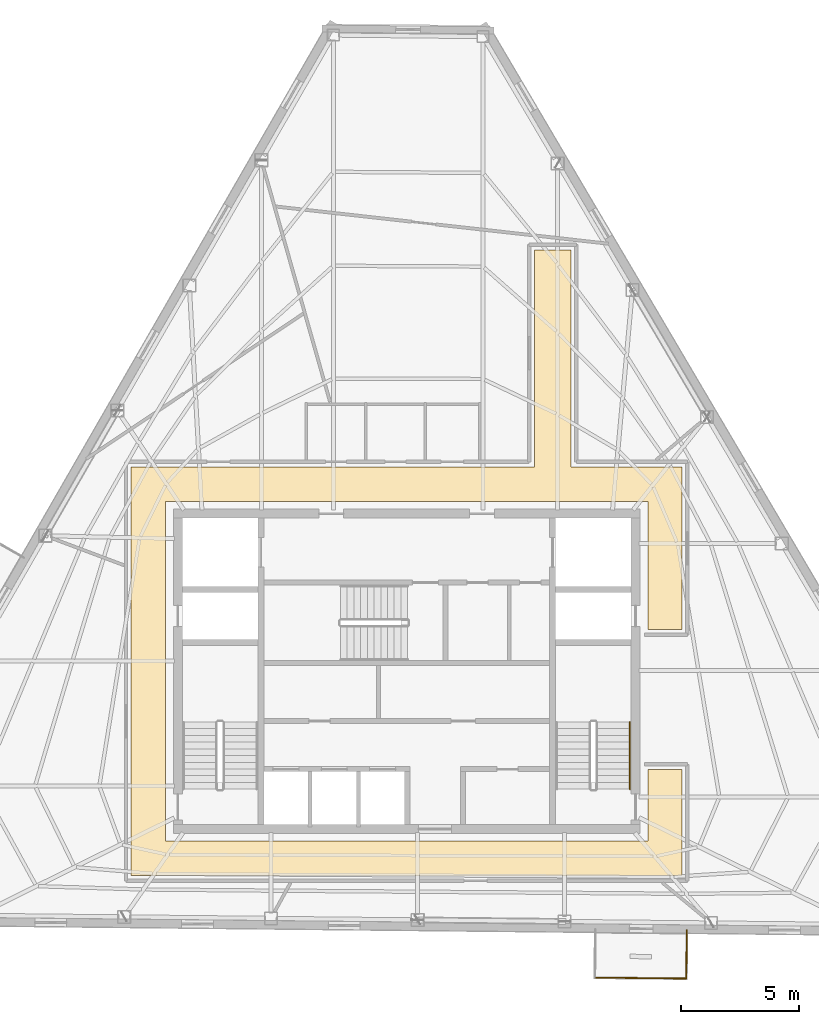
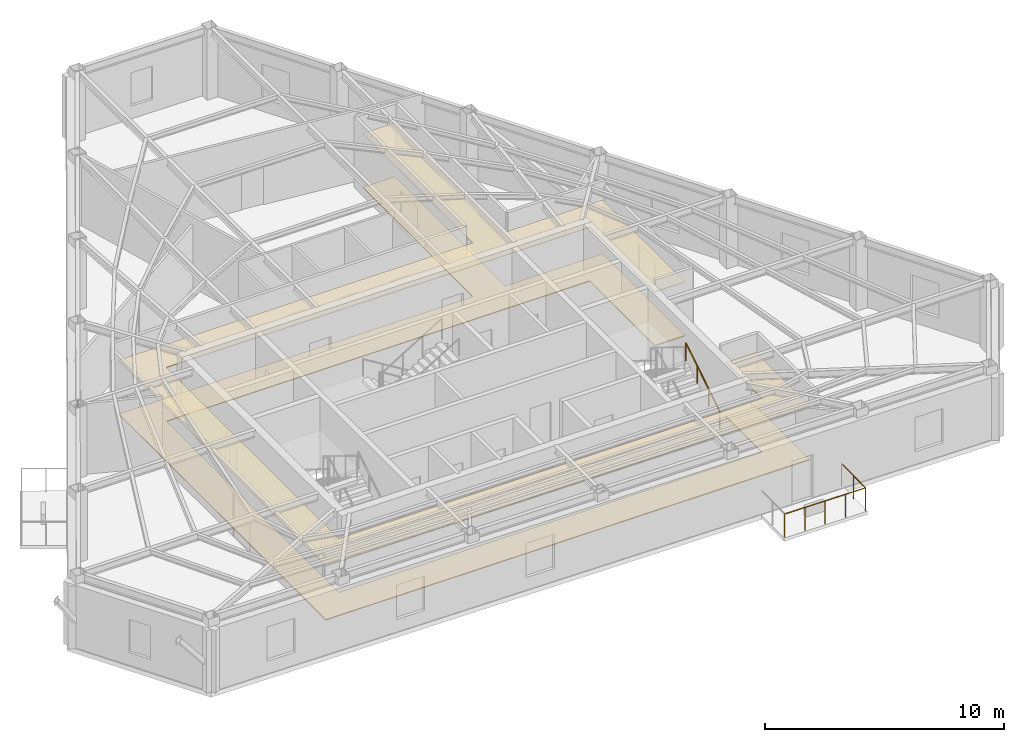
# One storey, part 11 of 11: 3 railings, 2 coverings.
"""IFC4 building model written with IfcOpenShell, lengths in metres."""

from ifc_helpers import new_model, si_unit, direction, frame, origin, origin_2d, place, context, subcontext, project, spatial, polyline, circle, outline, extrude, material, layer, layer_set, type_object, element, save


model = new_model("IFC4")

# Units and contexts
model_context = context("Model", 3, precision=1e-05, world=origin(), true_north=direction((0.0, 1.0)))
body_context = subcontext(model_context, "Body", "Model", "MODEL_VIEW")
ifc_project = project(units=[si_unit("LENGTHUNIT", "METRE"), si_unit("AREAUNIT", "SQUARE_METRE"), si_unit("VOLUMEUNIT", "CUBIC_METRE"), si_unit("PLANEANGLEUNIT", "RADIAN"), si_unit("MASSUNIT", "GRAM", prefix="KILO")], contexts=[model_context])

# Site, building, storey
site_placement = place(None, origin())
site = spatial("IfcSite", under=ifc_project, at=site_placement, CompositionType="ELEMENT")
building_placement = place(site_placement, origin())
building = spatial("IfcBuilding", under=site, at=building_placement, Name="Kavelnor Concourse Tower", CompositionType="ELEMENT")
storey_placement = place(building_placement, frame((0.0, 0.0, 262.60009765625)))
storey = spatial("IfcBuildingStorey", under=building, at=storey_placement, Name="L66", CompositionType="ELEMENT", Elevation=262.60009765625)

# Coverings
ifc_material_1 = material(Name="Mineral fibre acoustic ceiling tile")
ifc_layer_1 = layer(ifc_material_1, 0.0400390625, Name="Mineral fibre acoustic ceiling tile")
ifc_layer_set_1 = layer_set([ifc_layer_1], Name="Mineral fibre acoustic ceiling tile")
covering_type_1 = type_object("IfcCoveringType", Name="COV-CEILING-ACOUSTIC", PredefinedType="CEILING", material=ifc_layer_set_1)
covering_1_placement = place(storey_placement, frame((0.0, 0.0, 2.75)))
element("IfcCovering", 1, at=covering_1_placement, inside=storey, type_object=covering_type_1, Name="L66 Suspended Acoustic Ceiling", PredefinedType="CEILING", context=body_context, shape_type="SweptSolid", body=[
    extrude(outline(polyline([(44.97998046875, 24.77001953125), (49.68994140625, 24.77001953125), (49.68994140625, 17.8701171875), (48.22998046875, 17.8701171875), (48.22998046875, 23.31005859375), (27.77001953125, 23.31005859375), (27.77001953125, 8.889892578125), (48.22998046875, 8.889892578125), (48.22998046875, 11.929931640625), (49.68994140625, 11.929931640625), (49.68994140625, 7.429931640625), (26.31005859375, 7.429931640625), (26.31005859375, 24.77001953125), (43.419921875, 24.77001953125), (43.419921875, 33.987060546875), (44.97998046875, 33.987060546875), (44.97998046875, 24.77001953125)])), origin(), (0.0, 0.0, 1.0), 0.039794921875),
])
ifc_material_2 = material(Name="Honed bluestone and raised access floor finish", Category="masonry")
ifc_layer_2 = layer(ifc_material_2, 0.0400390625, Name="Honed bluestone and raised access floor finish")
ifc_layer_set_2 = layer_set([ifc_layer_2], Name="Honed bluestone and raised access floor finish")
covering_type_2 = type_object("IfcCoveringType", Name="COV-FLOOR-STONE", PredefinedType="FLOORING", material=ifc_layer_set_2)
covering_2_placement = place(storey_placement, frame((0.0, 0.0, 0.001953125)))
element("IfcCovering", 2, at=covering_2_placement, inside=storey, type_object=covering_type_2, Name="L66 Honed Bluestone Floor Finish", PredefinedType="FLOORING", context=body_context, shape_type="SweptSolid", body=[
    extrude(outline(polyline([(44.97998046875, 24.77001953125), (49.68994140625, 24.77001953125), (49.68994140625, 17.8701171875), (48.22998046875, 17.8701171875), (48.22998046875, 23.31005859375), (27.77001953125, 23.31005859375), (27.77001953125, 8.889892578125), (48.22998046875, 8.889892578125), (48.22998046875, 11.929931640625), (49.68994140625, 11.929931640625), (49.68994140625, 7.429931640625), (26.31005859375, 7.429931640625), (26.31005859375, 24.77001953125), (43.419921875, 24.77001953125), (43.419921875, 33.987060546875), (44.97998046875, 33.987060546875), (44.97998046875, 24.77001953125)])), origin(), (0.0, 0.0, 1.0), 0.0400390625),
])

# Railings
ifc_material_3 = material(Name="Steel Grade 350", Category="steel")
railing_type_1 = type_object("IfcRailingType", Name="RLG-HANDRAIL-900", PredefinedType="HANDRAIL", material=ifc_material_3)
railing_1_placement = place(storey_placement, frame((47.469970703125, 11.10009765625, 0.1748046875)))
element("IfcRailing", 3, at=railing_1_placement, inside=storey, type_object=railing_type_1, Name="L66 ST2 stair handrail 1", PredefinedType="HANDRAIL", context=body_context, shape_type="SweptSolid", body=[
    extrude(circle(Radius=0.02392578125, at=origin_2d()), frame((0.0, 0.0, 0.8759765625), z_axis=(0.0, 0.852159232446, 0.523282564737), x_axis=(-1.0, 0.0, 0.0)), (0.0, 0.0, 1.0), 3.34423828125),
    extrude(circle(Radius=0.02099609375, at=origin_2d()), origin(), (0.0, 0.0, 1.0), 0.851806640625),
    extrude(circle(Radius=0.02099609375, at=origin_2d()), frame((0.0, 0.949951171875, 0.583251953125)), (0.0, 0.0, 1.0), 0.851806640625),
    extrude(circle(Radius=0.02099609375, at=origin_2d()), frame((0.0, 1.89990234375, 1.166748046875)), (0.0, 0.0, 1.0), 0.851806640625),
    extrude(circle(Radius=0.02099609375, at=origin_2d()), frame((0.0, 2.849853515625, 1.75)), (0.0, 0.0, 1.0), 0.851806640625),
])
ifc_material_4 = material(Name="Architectural bronze-anodised aluminium", Category="aluminium")
railing_type_2 = type_object("IfcRailingType", Name="RLG-TERRACE-1200", PredefinedType="BALUSTRADE", material=ifc_material_4)
railing_2_placement = place(storey_placement, frame((45.983642578125, 3.102783203125, 0.0)))
element("IfcRailing", 4, at=railing_2_placement, inside=storey, type_object=railing_type_2, Name="L66 Tree Balcony 2 Guardrail F", PredefinedType="BALUSTRADE", context=body_context, shape_type="SweptSolid", body=[
    extrude(circle(Radius=0.02392578125, at=origin_2d()), frame((0.0, 0.0, 1.17578125), z_axis=(0.999946105348, -0.010382022866, 0.0), x_axis=(0.010382022866, 0.999946105348, 0.0)), (0.0, 0.0, 1.0), 3.880126953125),
    extrude(circle(Radius=0.02099609375, at=origin_2d()), origin(), (0.0, 0.0, 1.0), 1.15185546875),
    extrude(circle(Radius=0.02099609375, at=origin_2d()), frame((0.969970703125, -0.010009765625, 0.0)), (0.0, 0.0, 1.0), 1.15185546875),
    extrude(circle(Radius=0.02099609375, at=origin_2d()), frame((1.93994140625, -0.02001953125, 0.0)), (0.0, 0.0, 1.0), 1.15185546875),
    extrude(circle(Radius=0.02099609375, at=origin_2d()), frame((2.909912109375, -0.0302734375, 0.0)), (0.0, 0.0, 1.0), 1.15185546875),
    extrude(circle(Radius=0.02099609375, at=origin_2d()), frame((3.8798828125, -0.040283203125, 0.0)), (0.0, 0.0, 1.0), 1.15185546875),
])
railing_3_placement = place(storey_placement, frame((49.863525390625, 3.0625, 0.0)))
element("IfcRailing", 5, at=railing_3_placement, inside=storey, type_object=railing_type_2, Name="L66 Tree Balcony 2 Guardrail R", PredefinedType="BALUSTRADE", context=body_context, shape_type="SweptSolid", body=[
    extrude(circle(Radius=0.02392578125, at=origin_2d()), frame((0.0, 0.0, 1.17578125), z_axis=(0.010361520923, 0.999946318001, 0.0), x_axis=(-0.999946318001, 0.010361520923, 0.0)), (0.0, 0.0, 1.0), 2.0498046875),
    extrude(circle(Radius=0.02099609375, at=origin_2d()), origin(), (0.0, 0.0, 1.0), 1.15185546875),
    extrude(circle(Radius=0.02099609375, at=origin_2d()), frame((0.0107421875, 1.02490234375, 0.0)), (0.0, 0.0, 1.0), 1.15185546875),
    extrude(circle(Radius=0.02099609375, at=origin_2d()), frame((0.021240234375, 2.0498046875, 0.0)), (0.0, 0.0, 1.0), 1.15185546875),
])

save(model, "model.ifc")
